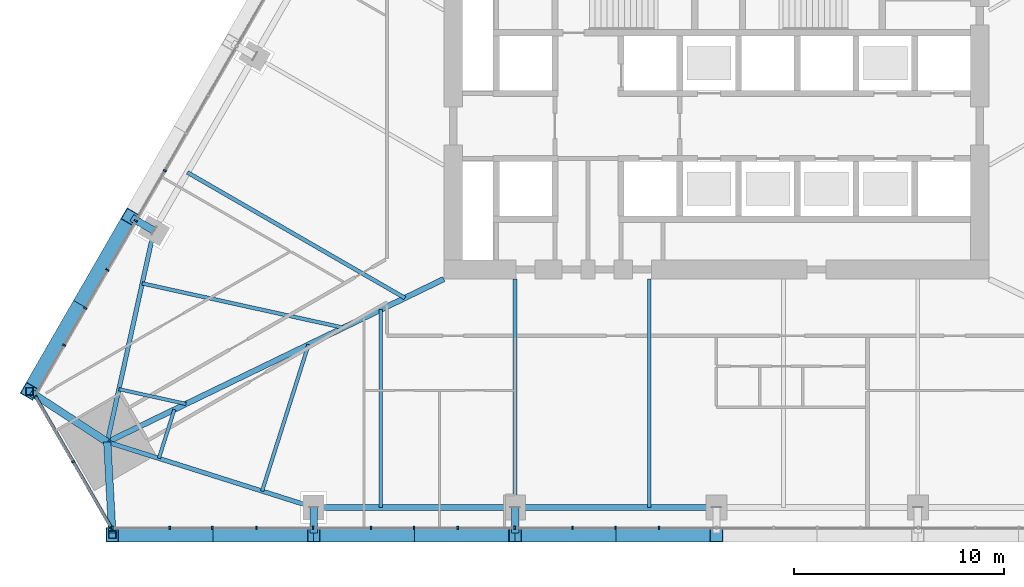
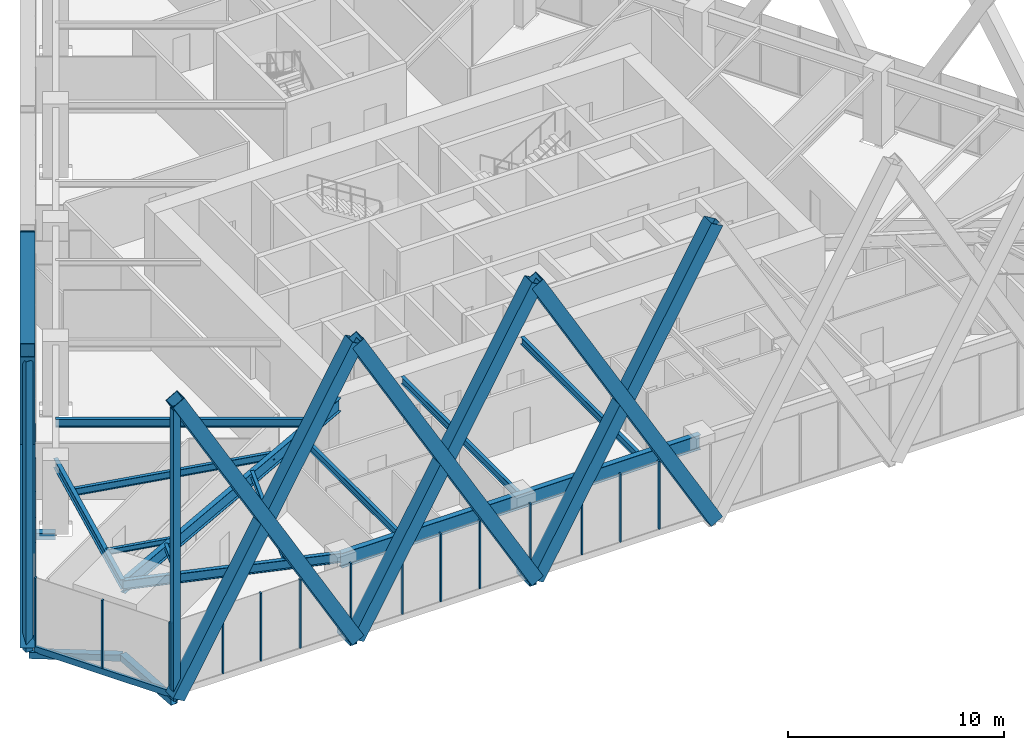
# One storey, part 2 of 26: 36 members, 12 beams, 3 elements without a shape of their own.
"""IFC4 building model written with IfcOpenShell, lengths in metres."""

from ifc_helpers import new_model, si_unit, direction, frame, origin, origin_2d, place, context, subcontext, project, spatial, rectangle, hollow_rectangle, i_section, extrude, material, layer, layer_set, material_profile, profile_set, type_object, element, aggregate, save


model = new_model("IFC4")

# Units and contexts
model_context = context("Model", 3, precision=1e-05, world=origin(), true_north=direction((0.0, 1.0)))
body_context = subcontext(model_context, "Body", "Model", "MODEL_VIEW")
ifc_project = project(units=[si_unit("LENGTHUNIT", "METRE"), si_unit("AREAUNIT", "SQUARE_METRE"), si_unit("VOLUMEUNIT", "CUBIC_METRE"), si_unit("PLANEANGLEUNIT", "RADIAN"), si_unit("MASSUNIT", "GRAM", prefix="KILO")], contexts=[model_context])

# Site, building, storey
site_placement = place(None, origin())
site = spatial("IfcSite", under=ifc_project, at=site_placement, CompositionType="ELEMENT")
building_placement = place(site_placement, origin())
building = spatial("IfcBuilding", under=site, at=building_placement, Name="Firuza Gate Tower and Library", CompositionType="ELEMENT")
storey_placement = place(building_placement, frame((0.0, 0.0, 40.0)))
storey = spatial("IfcBuildingStorey", under=building, at=storey_placement, Name="L08", CompositionType="ELEMENT", Elevation=40.0)

# Members
ifc_material_1 = material(Name="Steel S355", Category="steel")
ifc_material_profile_1 = material_profile(ifc_material_1, hollow_rectangle(XDim=0.699951171875, YDim=0.699951171875, WallThickness=0.030029296875, at=origin_2d()))
ifc_profile_set_1 = profile_set([ifc_material_profile_1], Name="Steel S355")
member_type_1 = type_object("IfcMemberType", Name="BU700x700x30 Lattice brace", PredefinedType="BRACE", material=ifc_profile_set_1)
for number, where, z_axis, x_axis, name in (
    (1, (46.199951171875, 53.8154296875, 0.0), (0.49614165595, 0.0, 0.868241589209), (0.0, 1.0, 0.0), "Lattice brace S 1.1R"),
    (2, (55.800048828125, 53.8154296875, 0.0), (-0.49614165595, 0.0, 0.868241589209), (0.0, -1.0, 0.0), "Lattice brace S 1.1L"),
):
    element("IfcMember", number, at=place(storey_placement, frame(where, z_axis=z_axis, x_axis=x_axis)), inside=storey, type_object=member_type_1, Name=name, PredefinedType="BRACE", context=body_context, shape_type="SweptSolid", body=[
        extrude(hollow_rectangle(XDim=0.699951171875, YDim=0.699951171875, WallThickness=0.030029296875, at=origin_2d()), origin(), (0.0, 0.0, 1.0), 19.349609375),
    ])
for number, where, z_axis, x_axis, name in (
    (3, (55.800048828125, 53.8154296875, 0.0), (0.496132144311, 0.0, 0.868247024401), (0.0, 1.0, 0.0), "Lattice brace S 1.2R"),
    (4, (65.39990234375, 53.8154296875, 0.0), (-0.496132144311, 0.0, 0.868247024401), (0.0, -1.0, 0.0), "Lattice brace S 1.2L"),
):
    element("IfcMember", number, at=place(storey_placement, frame(where, z_axis=z_axis, x_axis=x_axis)), inside=storey, type_object=member_type_1, Name=name, PredefinedType="BRACE", context=body_context, shape_type="SweptSolid", body=[
        extrude(hollow_rectangle(XDim=0.699951171875, YDim=0.699951171875, WallThickness=0.030029296875, at=origin_2d()), origin(), (0.0, 0.0, 1.0), 19.349365234375),
    ])
for number, where, z_axis, x_axis, name in (
    (5, (65.39990234375, 53.8154296875, 0.0), (0.49614165595, 0.0, 0.868241589209), (0.0, 1.0, 0.0), "Lattice brace S 1.3R"),
    (6, (75.0, 53.8154296875, 0.0), (-0.49614165595, 0.0, 0.868241589209), (0.0, -1.0, 0.0), "Lattice brace S 1.3L"),
):
    element("IfcMember", number, at=place(storey_placement, frame(where, z_axis=z_axis, x_axis=x_axis)), inside=storey, type_object=member_type_1, Name=name, PredefinedType="BRACE", context=body_context, shape_type="SweptSolid", body=[
        extrude(hollow_rectangle(XDim=0.699951171875, YDim=0.699951171875, WallThickness=0.030029296875, at=origin_2d()), origin(), (0.0, 0.0, 1.0), 19.349609375),
    ])
for number, where, z_axis, x_axis, name in (
    (7, (47.0537109375, 68.964599609375, 0.0), (-0.24807197236, -0.429662523513, 0.868245594528), (0.866019993635, -0.500009370536, 0.0), "Lattice brace W 1.6R"),
    (8, (42.253662109375, 60.65087890625, 0.0), (0.24807197236, 0.429662523513, 0.868245594528), (-0.866019993635, 0.500009370536, 0.0), "Lattice brace W 1.6L"),
):
    element("IfcMember", number, at=place(storey_placement, frame(where, z_axis=z_axis, x_axis=x_axis)), inside=storey, type_object=member_type_1, Name=name, PredefinedType="BRACE", context=body_context, shape_type="SweptSolid", body=[
        extrude(hollow_rectangle(XDim=0.699951171875, YDim=0.699951171875, WallThickness=0.030029296875, at=origin_2d()), origin(), (0.0, 0.0, 1.0), 19.349365234375),
    ])

# Curtain wall, members
ifc_material_2 = material(Name="Aluminium 6063-T6", Category="aluminium")
ifc_layer_1 = layer(ifc_material_2, 0.14990234375)
ifc_layer_set_1 = layer_set([ifc_layer_1], Name="Unitised curtain wall, offices")
curtain_wall_type_1 = type_object("IfcCurtainWallType", Name="Unitised curtain wall, offices", PredefinedType="NOTDEFINED", material=ifc_layer_set_1)
placement = place(storey_placement, origin())
curtain_wall_1 = element("IfcCurtainWall", 9, at=placement, inside=storey, type_object=curtain_wall_type_1, Name="CW1 L08 S face", PredefinedType="NOTDEFINED")
ifc_material_3 = material(Name="Aluminium 6063-T6", Category="aluminium")
ifc_material_profile_2 = material_profile(ifc_material_3, rectangle(XDim=0.14990234375, YDim=0.080078125, at=origin_2d()))
ifc_profile_set_2 = profile_set([ifc_material_profile_2], Name="Aluminium 6063-T6")
member_type_2 = type_object("IfcMemberType", Name="Curtain wall mullion 80x150", PredefinedType="MULLION", material=ifc_profile_set_2)
member_1_placement = place(storey_placement, frame((46.19677734375, 54.140380859375, 0.14990234375), z_axis=(0.0, 0.0, 1.0), x_axis=(0.0, 1.0, 0.0)))
member_1 = element("IfcMember", 10, at=member_1_placement, type_object=member_type_2, Name="Mullion", PredefinedType="MULLION", context=body_context, shape_type="SweptSolid", body=[
    extrude(rectangle(XDim=0.14990234375, YDim=0.080078125, at=origin_2d()), origin(), (0.0, 0.0, 1.0), 3.85009765625),
])
member_2_placement = place(storey_placement, frame((50.9638671875, 54.140380859375, 0.14990234375), z_axis=(0.0, 0.0, 1.0), x_axis=(0.0, 1.0, 0.0)))
member_2 = element("IfcMember", 11, at=member_2_placement, type_object=member_type_2, Name="Mullion", PredefinedType="MULLION", context=body_context, shape_type="SweptSolid", body=[
    extrude(rectangle(XDim=0.14990234375, YDim=0.080078125, at=origin_2d()), origin(), (0.0, 0.0, 1.0), 3.85009765625),
])
member_3_placement = place(storey_placement, frame((55.771240234375, 54.140380859375, 0.14990234375), z_axis=(0.0, 0.0, 1.0), x_axis=(0.0, 1.0, 0.0)))
member_3 = element("IfcMember", 12, at=member_3_placement, type_object=member_type_2, Name="Mullion", PredefinedType="MULLION", context=body_context, shape_type="SweptSolid", body=[
    extrude(rectangle(XDim=0.14990234375, YDim=0.080078125, at=origin_2d()), origin(), (0.0, 0.0, 1.0), 3.85009765625),
])
member_4_placement = place(storey_placement, frame((60.578369140625, 54.140380859375, 0.14990234375), z_axis=(0.0, 0.0, 1.0), x_axis=(0.0, 1.0, 0.0)))
member_4 = element("IfcMember", 13, at=member_4_placement, type_object=member_type_2, Name="Mullion", PredefinedType="MULLION", context=body_context, shape_type="SweptSolid", body=[
    extrude(rectangle(XDim=0.14990234375, YDim=0.080078125, at=origin_2d()), origin(), (0.0, 0.0, 1.0), 3.85009765625),
])
member_5_placement = place(storey_placement, frame((65.385498046875, 54.140380859375, 0.14990234375), z_axis=(0.0, 0.0, 1.0), x_axis=(0.0, 1.0, 0.0)))
member_5 = element("IfcMember", 14, at=member_5_placement, type_object=member_type_2, Name="Mullion", PredefinedType="MULLION", context=body_context, shape_type="SweptSolid", body=[
    extrude(rectangle(XDim=0.14990234375, YDim=0.080078125, at=origin_2d()), origin(), (0.0, 0.0, 1.0), 3.85009765625),
])
member_6_placement = place(storey_placement, frame((70.19287109375, 54.140380859375, 0.14990234375), z_axis=(0.0, 0.0, 1.0), x_axis=(0.0, 1.0, 0.0)))
member_6 = element("IfcMember", 15, at=member_6_placement, type_object=member_type_2, Name="Mullion", PredefinedType="MULLION", context=body_context, shape_type="SweptSolid", body=[
    extrude(rectangle(XDim=0.14990234375, YDim=0.080078125, at=origin_2d()), origin(), (0.0, 0.0, 1.0), 3.85009765625),
])
member_7_placement = place(storey_placement, frame((48.933837890625, 54.140380859375, 0.14990234375), z_axis=(0.0, 0.0, 1.0), x_axis=(0.0, 1.0, 0.0)))
member_7 = element("IfcMember", 16, at=member_7_placement, type_object=member_type_2, Name="Mullion", PredefinedType="MULLION", context=body_context, shape_type="SweptSolid", body=[
    extrude(rectangle(XDim=0.14990234375, YDim=0.080078125, at=origin_2d()), origin(), (0.0, 0.0, 1.0), 3.85009765625),
])
member_8_placement = place(storey_placement, frame((53.066162109375, 54.140380859375, 0.14990234375), z_axis=(0.0, 0.0, 1.0), x_axis=(0.0, 1.0, 0.0)))
member_8 = element("IfcMember", 17, at=member_8_placement, type_object=member_type_2, Name="Mullion", PredefinedType="MULLION", context=body_context, shape_type="SweptSolid", body=[
    extrude(rectangle(XDim=0.14990234375, YDim=0.080078125, at=origin_2d()), origin(), (0.0, 0.0, 1.0), 3.85009765625),
])
member_9_placement = place(storey_placement, frame((58.533935546875, 54.140380859375, 0.14990234375), z_axis=(0.0, 0.0, 1.0), x_axis=(0.0, 1.0, 0.0)))
member_9 = element("IfcMember", 18, at=member_9_placement, type_object=member_type_2, Name="Mullion", PredefinedType="MULLION", context=body_context, shape_type="SweptSolid", body=[
    extrude(rectangle(XDim=0.14990234375, YDim=0.080078125, at=origin_2d()), origin(), (0.0, 0.0, 1.0), 3.85009765625),
])
member_10_placement = place(storey_placement, frame((62.666259765625, 54.140380859375, 0.14990234375), z_axis=(0.0, 0.0, 1.0), x_axis=(0.0, 1.0, 0.0)))
member_10 = element("IfcMember", 19, at=member_10_placement, type_object=member_type_2, Name="Mullion", PredefinedType="MULLION", context=body_context, shape_type="SweptSolid", body=[
    extrude(rectangle(XDim=0.14990234375, YDim=0.080078125, at=origin_2d()), origin(), (0.0, 0.0, 1.0), 3.85009765625),
])
member_11_placement = place(storey_placement, frame((68.1337890625, 54.140380859375, 0.14990234375), z_axis=(0.0, 0.0, 1.0), x_axis=(0.0, 1.0, 0.0)))
member_11 = element("IfcMember", 20, at=member_11_placement, type_object=member_type_2, Name="Mullion", PredefinedType="MULLION", context=body_context, shape_type="SweptSolid", body=[
    extrude(rectangle(XDim=0.14990234375, YDim=0.080078125, at=origin_2d()), origin(), (0.0, 0.0, 1.0), 3.85009765625),
])
member_12_placement = place(storey_placement, frame((72.26611328125, 54.140380859375, 0.14990234375), z_axis=(0.0, 0.0, 1.0), x_axis=(0.0, 1.0, 0.0)))
member_12 = element("IfcMember", 21, at=member_12_placement, type_object=member_type_2, Name="Mullion", PredefinedType="MULLION", context=body_context, shape_type="SweptSolid", body=[
    extrude(rectangle(XDim=0.14990234375, YDim=0.080078125, at=origin_2d()), origin(), (0.0, 0.0, 1.0), 3.85009765625),
])
aggregate(curtain_wall_1, [member_1, member_2, member_3, member_4, member_5, member_6, member_7, member_8, member_9, member_10, member_11, member_12])

curtain_wall_2 = element("IfcCurtainWall", 22, at=placement, inside=storey, type_object=curtain_wall_type_1, Name="CW1 L08 W face", PredefinedType="NOTDEFINED")
member_13_placement = place(storey_placement, frame((47.320556640625, 68.777099609375, 0.14990234375), z_axis=(0.0, 0.0, 1.0), x_axis=(0.866025403784, -0.5, 0.0)))
member_13 = element("IfcMember", 23, at=member_13_placement, type_object=member_type_2, Name="Mullion", PredefinedType="MULLION", context=body_context, shape_type="SweptSolid", body=[
    extrude(rectangle(XDim=0.14990234375, YDim=0.080078125, at=origin_2d()), origin(), (0.0, 0.0, 1.0), 3.85009765625),
])
member_14_placement = place(storey_placement, frame((44.9169921875, 64.614013671875, 0.14990234375), z_axis=(0.0, 0.0, 1.0), x_axis=(0.866025403784, -0.5, 0.0)))
member_14 = element("IfcMember", 24, at=member_14_placement, type_object=member_type_2, Name="Mullion", PredefinedType="MULLION", context=body_context, shape_type="SweptSolid", body=[
    extrude(rectangle(XDim=0.14990234375, YDim=0.080078125, at=origin_2d()), origin(), (0.0, 0.0, 1.0), 3.85009765625),
])
member_15_placement = place(storey_placement, frame((48.701904296875, 71.169677734375, 0.14990234375), z_axis=(0.0, 0.0, 1.0), x_axis=(0.866025403784, -0.5, 0.0)))
member_15 = element("IfcMember", 25, at=member_15_placement, type_object=member_type_2, Name="Mullion", PredefinedType="MULLION", context=body_context, shape_type="SweptSolid", body=[
    extrude(rectangle(XDim=0.14990234375, YDim=0.080078125, at=origin_2d()), origin(), (0.0, 0.0, 1.0), 3.85009765625),
])
member_16_placement = place(storey_placement, frame((45.968017578125, 66.4345703125, 0.14990234375), z_axis=(0.0, 0.0, 1.0), x_axis=(0.866025403784, -0.5, 0.0)))
member_16 = element("IfcMember", 26, at=member_16_placement, type_object=member_type_2, Name="Mullion", PredefinedType="MULLION", context=body_context, shape_type="SweptSolid", body=[
    extrude(rectangle(XDim=0.14990234375, YDim=0.080078125, at=origin_2d()), origin(), (0.0, 0.0, 1.0), 3.85009765625),
])
member_17_placement = place(storey_placement, frame((43.90185546875, 62.85595703125, 0.14990234375), z_axis=(0.0, 0.0, 1.0), x_axis=(0.866025403784, -0.5, 0.0)))
member_17 = element("IfcMember", 27, at=member_17_placement, type_object=member_type_2, Name="Mullion", PredefinedType="MULLION", context=body_context, shape_type="SweptSolid", body=[
    extrude(rectangle(XDim=0.14990234375, YDim=0.080078125, at=origin_2d()), origin(), (0.0, 0.0, 1.0), 3.85009765625),
])
aggregate(curtain_wall_2, [member_13, member_14, member_15, member_16, member_17])

ifc_material_4 = material(Name="Aluminium 6063-T6", Category="aluminium")
ifc_layer_2 = layer(ifc_material_4, 0.14990234375)
ifc_layer_set_2 = layer_set([ifc_layer_2], Name="Corner curtain wall, chamfers")
curtain_wall_type_2 = type_object("IfcCurtainWallType", Name="Corner curtain wall, chamfers", PredefinedType="NOTDEFINED", material=ifc_layer_set_2)
curtain_wall_3 = element("IfcCurtainWall", 28, at=placement, inside=storey, type_object=curtain_wall_type_2, Name="CW4 L08 SW corner", PredefinedType="NOTDEFINED")
member_18_placement = place(storey_placement, frame((42.533447265625, 60.416015625, 0.14990234375), z_axis=(0.0, 0.0, 1.0), x_axis=(0.866025403784, 0.5, 0.0)))
member_18 = element("IfcMember", 29, at=member_18_placement, type_object=member_type_2, Name="Mullion", PredefinedType="MULLION", context=body_context, shape_type="SweptSolid", body=[
    extrude(rectangle(XDim=0.14990234375, YDim=0.080078125, at=origin_2d()), origin(), (0.0, 0.0, 1.0), 3.85009765625),
])
member_19_placement = place(storey_placement, frame((44.3349609375, 57.295654296875, 0.14990234375), z_axis=(0.0, 0.0, 1.0), x_axis=(0.866025403784, 0.5, 0.0)))
member_19 = element("IfcMember", 30, at=member_19_placement, type_object=member_type_2, Name="Mullion", PredefinedType="MULLION", context=body_context, shape_type="SweptSolid", body=[
    extrude(rectangle(XDim=0.14990234375, YDim=0.080078125, at=origin_2d()), origin(), (0.0, 0.0, 1.0), 3.85009765625),
])
member_20_placement = place(storey_placement, frame((46.13671875, 54.175048828125, 0.14990234375), z_axis=(0.0, 0.0, 1.0), x_axis=(0.866025403784, 0.5, 0.0)))
member_20 = element("IfcMember", 31, at=member_20_placement, type_object=member_type_2, Name="Mullion", PredefinedType="MULLION", context=body_context, shape_type="SweptSolid", body=[
    extrude(rectangle(XDim=0.14990234375, YDim=0.080078125, at=origin_2d()), origin(), (0.0, 0.0, 1.0), 3.85009765625),
])
ifc_material_5 = material(Name="Aluminium 6063-T6", Category="aluminium")
ifc_material_profile_3 = material_profile(ifc_material_5, rectangle(XDim=0.14990234375, YDim=0.35009765625, at=origin_2d()))
ifc_profile_set_3 = profile_set([ifc_material_profile_3], Name="Aluminium 6063-T6")
member_type_3 = type_object("IfcMemberType", Name="Curtain wall transom 350x150", PredefinedType="USERDEFINED", material=ifc_profile_set_3)
member_21_placement = place(storey_placement, frame((42.513427734375, 60.45068359375, -0.02490234375), z_axis=(0.500005719219, -0.866022101766, 0.0), x_axis=(0.866022101766, 0.500005719219, 0.0)))
member_21 = element("IfcMember", 32, at=member_21_placement, type_object=member_type_3, Name="Transom", ObjectType="TRANSOM", PredefinedType="USERDEFINED", context=body_context, shape_type="SweptSolid", body=[
    extrude(rectangle(XDim=0.14990234375, YDim=0.35009765625, at=origin_2d()), origin(), (0.0, 0.0, 1.0), 7.28662109375),
])
aggregate(curtain_wall_3, [member_18, member_19, member_20, member_21])

# Members
ifc_material_6 = material(Name="Steel S355", Category="steel")
ifc_material_profile_4 = material_profile(ifc_material_6, hollow_rectangle(XDim=0.355712890625, YDim=0.355712890625, WallThickness=0.014892578125, at=origin_2d()))
ifc_profile_set_4 = profile_set([ifc_material_profile_4], Name="Steel S355")
member_type_4 = type_object("IfcMemberType", Name="HSS356x356x16 Lattice corner stile", PredefinedType="BRACE", material=ifc_profile_set_4)
for number, where, z_axis, x_axis, name in (
    (33, (46.199951171875, 53.8154296875, -0.139892578125), (0.0, 0.0, 1.0), (1.0, 0.0, 0.0), "Lattice corner stile S 1.A"),
    (34, (42.253662109375, 60.65087890625, -0.139892578125), (0.0, 0.0, 1.0), (1.0, 0.0, 0.0), "Lattice corner stile W 1.B"),
):
    element("IfcMember", number, at=place(storey_placement, frame(where, z_axis=z_axis, x_axis=x_axis)), inside=storey, type_object=member_type_4, Name=name, PredefinedType="BRACE", context=body_context, shape_type="SweptSolid", body=[
        extrude(hollow_rectangle(XDim=0.355712890625, YDim=0.355712890625, WallThickness=0.014892578125, at=origin_2d()), origin(), (0.0, 0.0, 1.0), 16.43994140625),
    ])
ifc_material_7 = material(Name="Steel S355", Category="steel")
ifc_material_profile_5 = material_profile(ifc_material_7, hollow_rectangle(XDim=0.355712890625, YDim=0.355712890625, WallThickness=0.014892578125, at=origin_2d()))
ifc_profile_set_5 = profile_set([ifc_material_profile_5], Name="Steel S355")
member_type_5 = type_object("IfcMemberType", Name="HSS356x356x16 Lattice node tie", PredefinedType="BRACE", material=ifc_profile_set_5)
member_22_placement = place(storey_placement, frame((45.958740234375, 58.233154296875, -0.340087890625), z_axis=(0.05451650724, -0.998512869441, 0.0), x_axis=(0.998512869441, 0.05451650724, 0.0)))
element("IfcMember", 35, at=member_22_placement, inside=storey, type_object=member_type_5, Name="Lattice node tie S L08 8", PredefinedType="BRACE", context=body_context, shape_type="SweptSolid", body=[
    extrude(hollow_rectangle(XDim=0.355712890625, YDim=0.355712890625, WallThickness=0.014892578125, at=origin_2d()), origin(), (0.0, 0.0, 1.0), 4.33935546875),
])
for number, where, z_axis, x_axis, name in (
    (36, (55.800048828125, 55.115478515625, -0.340087890625), (0.0, -1.0, 0.0), (1.0, 0.0, 0.0), "Lattice node tie S L08 9"),
    (37, (65.39990234375, 55.115478515625, -0.340087890625), (0.0, -1.0, 0.0), (1.0, 0.0, 0.0), "Lattice node tie S L08 10"),
):
    element("IfcMember", number, at=place(storey_placement, frame(where, z_axis=z_axis, x_axis=x_axis)), inside=storey, type_object=member_type_5, Name=name, PredefinedType="BRACE", context=body_context, shape_type="SweptSolid", body=[
        extrude(hollow_rectangle(XDim=0.355712890625, YDim=0.355712890625, WallThickness=0.014892578125, at=origin_2d()), origin(), (0.0, 0.0, 1.0), 1.215087890625),
    ])
member_23_placement = place(storey_placement, frame((45.958740234375, 58.233154296875, -0.340087890625), z_axis=(-0.837497527492, 0.546441114343, 0.0), x_axis=(-0.546441114343, -0.837497527492, 0.0)))
element("IfcMember", 38, at=member_23_placement, inside=storey, type_object=member_type_5, Name="Lattice node tie W L08 15", PredefinedType="BRACE", context=body_context, shape_type="SweptSolid", body=[
    extrude(hollow_rectangle(XDim=0.355712890625, YDim=0.355712890625, WallThickness=0.014892578125, at=origin_2d()), origin(), (0.0, 0.0, 1.0), 4.339111328125),
])
member_24_placement = place(storey_placement, frame((48.179443359375, 68.314697265625, -0.340087890625), z_axis=(-0.866058436235, 0.499942781752, 0.0), x_axis=(-0.499942781752, -0.866058436235, 0.0)))
element("IfcMember", 39, at=member_24_placement, inside=storey, type_object=member_type_5, Name="Lattice node tie W L08 16", PredefinedType="BRACE", context=body_context, shape_type="SweptSolid", body=[
    extrude(hollow_rectangle(XDim=0.355712890625, YDim=0.355712890625, WallThickness=0.014892578125, at=origin_2d()), origin(), (0.0, 0.0, 1.0), 1.215087890625),
])

# Beams
ifc_material_8 = material(Name="Steel S355", Category="steel")
ifc_material_profile_6 = material_profile(ifc_material_8, i_section(OverallWidth=0.1650390625, OverallDepth=0.31005859375, WebThickness=0.005859375, FlangeThickness=0.009765625, at=origin_2d()))
ifc_profile_set_6 = profile_set([ifc_material_profile_6], Name="Steel S355")
beam_type_1 = type_object("IfcBeamType", Name="W310x39 Floor beam", PredefinedType="JOIST", material=ifc_profile_set_6)
beam_1_placement = place(storey_placement, frame((46.513916015625, 60.75341796875, 3.844970703125), z_axis=(0.976601243751, -0.215058156564, 0.0), x_axis=(0.215058156564, 0.976601243751, 0.0)))
element("IfcBeam", 40, at=beam_1_placement, inside=storey, type_object=beam_type_1, Name="Floor beam L08 s01", PredefinedType="JOIST", context=body_context, shape_type="SweptSolid", body=[
    extrude(i_section(OverallWidth=0.1650390625, OverallDepth=0.31005859375, WebThickness=0.005859375, FlangeThickness=0.009765625, at=origin_2d()), origin(), (0.0, 0.0, 1.0), 3.27294921875),
])
beam_2_placement = place(storey_placement, frame((48.419189453125, 57.45361328125, 3.844970703125), z_axis=(0.30197349393, 0.953316321566, 0.0), x_axis=(-0.953316321566, 0.30197349393, 0.0)))
element("IfcBeam", 41, at=beam_2_placement, inside=storey, type_object=beam_type_1, Name="Floor beam L08 s10", PredefinedType="JOIST", context=body_context, shape_type="SweptSolid", body=[
    extrude(i_section(OverallWidth=0.1650390625, OverallDepth=0.31005859375, WebThickness=0.005859375, FlangeThickness=0.009765625, at=origin_2d()), origin(), (0.0, 0.0, 1.0), 2.441650390625),
])
ifc_material_9 = material(Name="Steel S355", Category="steel")
ifc_material_profile_7 = material_profile(ifc_material_9, i_section(OverallWidth=0.1708984375, OverallDepth=0.35498046875, WebThickness=0.007080078125, FlangeThickness=0.01171875, at=origin_2d()))
ifc_profile_set_7 = profile_set([ifc_material_profile_7], Name="Steel S355")
beam_type_2 = type_object("IfcBeamType", Name="W360x51 Floor beam", PredefinedType="JOIST", material=ifc_profile_set_7)
beam_3_placement = place(storey_placement, frame((53.339599609375, 55.894775390625, 3.822509765625), z_axis=(0.302024477968, 0.953300170307, 0.0), x_axis=(-0.953300170307, 0.302024477968, 0.0)))
element("IfcBeam", 42, at=beam_3_placement, inside=storey, type_object=beam_type_2, Name="Floor beam L08 s11", PredefinedType="JOIST", context=body_context, shape_type="SweptSolid", body=[
    extrude(i_section(OverallWidth=0.1708984375, OverallDepth=0.35498046875, WebThickness=0.007080078125, FlangeThickness=0.01171875, at=origin_2d()), origin(), (0.0, 0.0, 1.0), 7.3251953125),
])
ifc_material_10 = material(Name="Steel S355", Category="steel")
ifc_material_profile_8 = material_profile(ifc_material_10, i_section(OverallWidth=0.177978515625, OverallDepth=0.406982421875, WebThickness=0.0078125, FlangeThickness=0.0126953125, at=origin_2d()))
ifc_profile_set_8 = profile_set([ifc_material_profile_8], Name="Steel S355")
beam_type_3 = type_object("IfcBeamType", Name="W410x60 Floor beam", PredefinedType="JOIST", material=ifc_profile_set_8)
beam_4_placement = place(storey_placement, frame((47.624267578125, 65.794189453125, 3.79638671875), z_axis=(0.97658964753, -0.215110809441, 0.0), x_axis=(0.215110809441, 0.97658964753, 0.0)))
element("IfcBeam", 43, at=beam_4_placement, inside=storey, type_object=beam_type_3, Name="Floor beam L08 s00", PredefinedType="JOIST", context=body_context, shape_type="SweptSolid", body=[
    extrude(i_section(OverallWidth=0.177978515625, OverallDepth=0.406982421875, WebThickness=0.0078125, FlangeThickness=0.0126953125, at=origin_2d()), origin(), (0.0, 0.0, 1.0), 9.818359375),
])
beam_5_placement = place(storey_placement, frame((59.0, 55.115478515625, 3.79638671875), z_axis=(0.0, 1.0, 0.0), x_axis=(-1.0, 0.0, 0.0)))
element("IfcBeam", 44, at=beam_5_placement, inside=storey, type_object=beam_type_3, Name="Floor beam L08 s20", PredefinedType="JOIST", context=body_context, shape_type="SweptSolid", body=[
    extrude(i_section(OverallWidth=0.177978515625, OverallDepth=0.406982421875, WebThickness=0.0078125, FlangeThickness=0.0126953125, at=origin_2d()), origin(), (0.0, 0.0, 1.0), 9.431884765625),
])
for number, where, z_axis, x_axis, name in (
    (45, (65.39990234375, 55.115478515625, 3.79638671875), (0.0, 1.0, 0.0), (-1.0, 0.0, 0.0), "Floor beam L08 s21"),
    (46, (71.800048828125, 55.115478515625, 3.79638671875), (0.0, 1.0, 0.0), (-1.0, 0.0, 0.0), "Floor beam L08 s22"),
):
    element("IfcBeam", number, at=place(storey_placement, frame(where, z_axis=z_axis, x_axis=x_axis)), inside=storey, type_object=beam_type_3, Name=name, PredefinedType="JOIST", context=body_context, shape_type="SweptSolid", body=[
        extrude(i_section(OverallWidth=0.177978515625, OverallDepth=0.406982421875, WebThickness=0.0078125, FlangeThickness=0.0126953125, at=origin_2d()), origin(), (0.0, 0.0, 1.0), 10.884521484375),
    ])
ifc_material_11 = material(Name="Steel S355", Category="steel")
ifc_material_profile_9 = material_profile(ifc_material_11, i_section(OverallWidth=0.18994140625, OverallDepth=0.45703125, WebThickness=0.009033203125, FlangeThickness=0.014404296875, at=origin_2d()))
ifc_profile_set_9 = profile_set([ifc_material_profile_9], Name="Steel S355")
beam_type_4 = type_object("IfcBeamType", Name="W460x74 Floor beam", PredefinedType="JOIST", material=ifc_profile_set_9)
beam_6_placement = place(storey_placement, frame((49.779541015625, 71.0859375, 3.771484375), z_axis=(0.866020154196, -0.500009092443, 0.0), x_axis=(0.500009092443, 0.866020154196, 0.0)))
element("IfcBeam", 47, at=beam_6_placement, inside=storey, type_object=beam_type_4, Name="Floor beam L08 s85", PredefinedType="JOIST", context=body_context, shape_type="SweptSolid", body=[
    extrude(i_section(OverallWidth=0.18994140625, OverallDepth=0.45703125, WebThickness=0.009033203125, FlangeThickness=0.014404296875, at=origin_2d()), origin(), (0.0, 0.0, 1.0), 11.968505859375),
])
ifc_material_12 = material(Name="Steel S355", Category="steel")
ifc_material_profile_10 = material_profile(ifc_material_12, i_section(OverallWidth=0.212890625, OverallDepth=0.5390625, WebThickness=0.01171875, FlangeThickness=0.018798828125, at=origin_2d()))
ifc_profile_set_10 = profile_set([ifc_material_profile_10], Name="Steel S355")
beam_type_5 = type_object("IfcBeamType", Name="W530x109 Edge beam", PredefinedType="SPANDREL", material=ifc_profile_set_10)
for number, where, z_axis, x_axis, name in (
    (48, (48.179443359375, 68.314697265625, 3.73046875), (-0.215117130091, -0.976588255275, 0.0), (0.976588255275, -0.215117130091, 0.0), "Edge beam L08 e00"),
    (49, (45.958740234375, 58.233154296875, 3.73046875), (0.953307052276, -0.302002755087, 0.0), (0.302002755087, 0.953307052276, 0.0), "Edge beam L08 e10"),
):
    element("IfcBeam", number, at=place(storey_placement, frame(where, z_axis=z_axis, x_axis=x_axis)), inside=storey, type_object=beam_type_5, Name=name, PredefinedType="SPANDREL", context=body_context, shape_type="SweptSolid", body=[
        extrude(i_section(OverallWidth=0.212890625, OverallDepth=0.5390625, WebThickness=0.01171875, FlangeThickness=0.018798828125, at=origin_2d()), origin(), (0.0, 0.0, 1.0), 10.3232421875),
    ])
ifc_material_13 = material(Name="Steel S355", Category="steel")
ifc_material_profile_11 = material_profile(ifc_material_13, i_section(OverallWidth=0.264892578125, OverallDepth=0.7529296875, WebThickness=0.01318359375, FlangeThickness=0.01708984375, at=origin_2d()))
ifc_profile_set_11 = profile_set([ifc_material_profile_11], Name="Steel S355")
beam_type_6 = type_object("IfcBeamType", Name="W760x147 Girder", PredefinedType="BEAM", material=ifc_profile_set_11)
beam_7_placement = place(storey_placement, frame((45.958740234375, 58.233154296875, 3.62353515625), z_axis=(0.900050421894, 0.43578577082, 0.0), x_axis=(-0.43578577082, 0.900050421894, 0.0)))
element("IfcBeam", 50, at=beam_7_placement, inside=storey, type_object=beam_type_6, Name="Girder L08 gSW", PredefinedType="BEAM", context=body_context, shape_type="SweptSolid", body=[
    extrude(i_section(OverallWidth=0.264892578125, OverallDepth=0.7529296875, WebThickness=0.01318359375, FlangeThickness=0.01708984375, at=origin_2d()), origin(), (0.0, 0.0, 1.0), 17.822509765625),
])
ifc_material_14 = material(Name="Steel S355", Category="steel")
ifc_material_profile_12 = material_profile(ifc_material_14, i_section(OverallWidth=0.2919921875, OverallDepth=0.8349609375, WebThickness=0.013916015625, FlangeThickness=0.018798828125, at=origin_2d()))
ifc_profile_set_12 = profile_set([ifc_material_profile_12], Name="Steel S355")
beam_type_7 = type_object("IfcBeamType", Name="W840x176 Edge beam", PredefinedType="SPANDREL", material=ifc_profile_set_12)
beam_8_placement = place(storey_placement, frame((55.800048828125, 55.115478515625, 3.58251953125), z_axis=(1.0, 0.0, 0.0), x_axis=(0.0, 1.0, 0.0)))
element("IfcBeam", 51, at=beam_8_placement, inside=storey, type_object=beam_type_7, Name="Edge beam L08 e20", PredefinedType="SPANDREL", context=body_context, shape_type="SweptSolid", body=[
    extrude(i_section(OverallWidth=0.2919921875, OverallDepth=0.8349609375, WebThickness=0.013916015625, FlangeThickness=0.018798828125, at=origin_2d()), origin(), (0.0, 0.0, 1.0), 19.199951171875),
])

save(model, "model.ifc")
